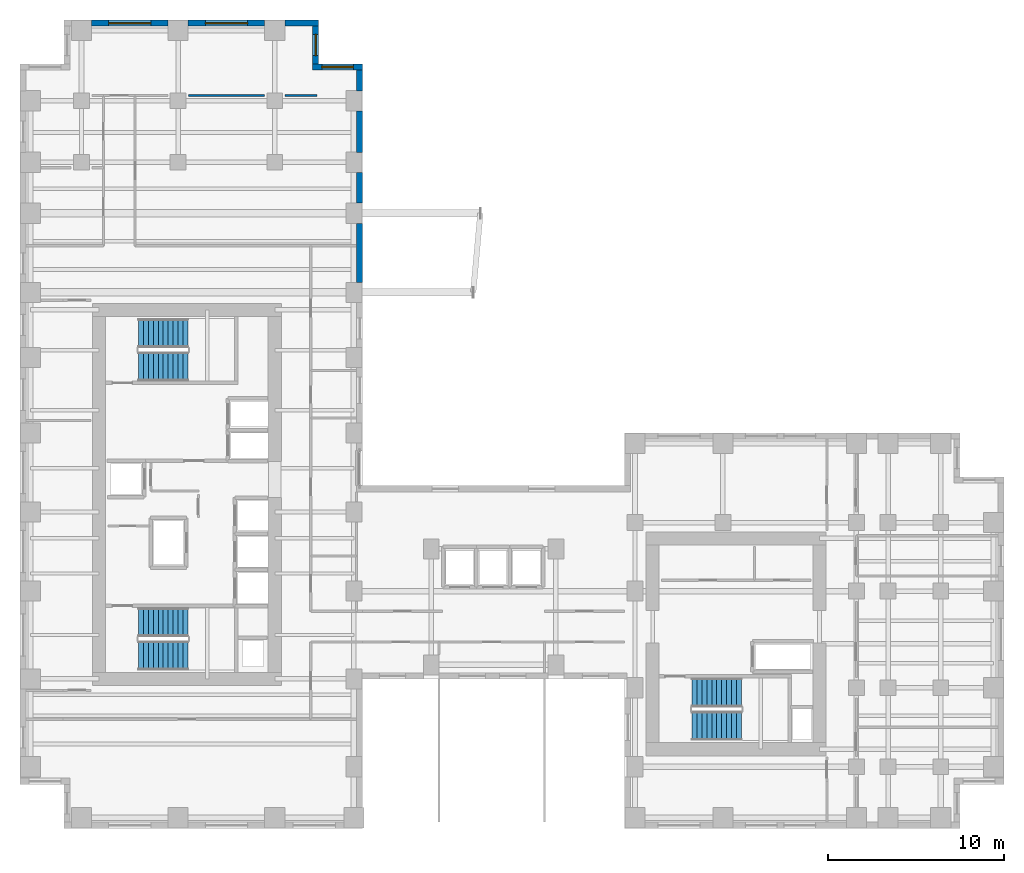
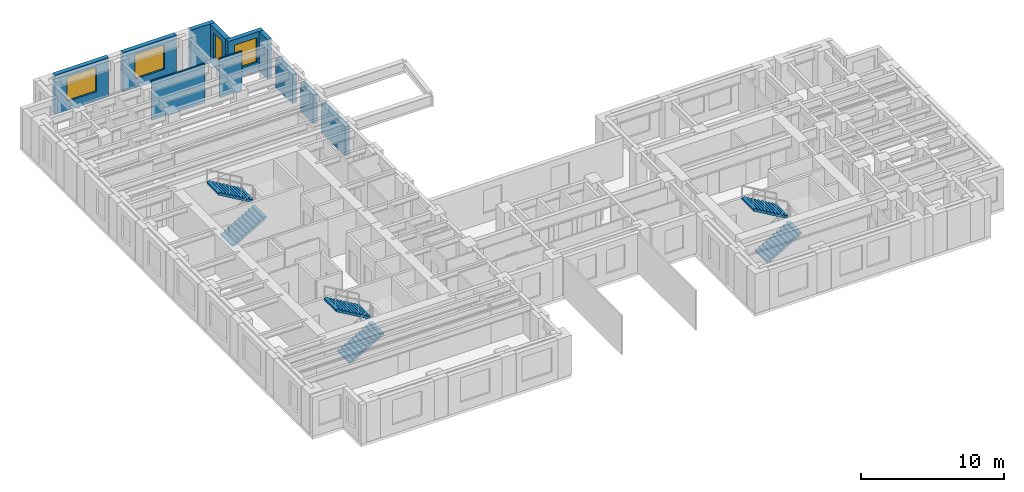
# One storey, part 11 of 13: 11 walls, 6 stair flights, 4 windows, 4 openings, 3 elements without a shape of their own.
"""IFC4 building model written with IfcOpenShell, lengths in metres."""

from ifc_helpers import new_model, si_unit, direction, frame, frame_2d, origin, place, context, subcontext, project, spatial, polyline, rectangle, outline, extrude, source, transform, mapped, material, layer, layer_set, type_object, element, fill, aggregate, save


model = new_model("IFC4")

# Units and contexts
model_context = context("Model", 3, precision=1e-05, world=origin(), true_north=direction((0.0, 1.0)))
body_context = subcontext(model_context, "Body", "Model", "MODEL_VIEW")
ifc_project = project(units=[si_unit("LENGTHUNIT", "METRE"), si_unit("AREAUNIT", "SQUARE_METRE"), si_unit("VOLUMEUNIT", "CUBIC_METRE"), si_unit("PLANEANGLEUNIT", "RADIAN"), si_unit("MASSUNIT", "GRAM", prefix="KILO")], contexts=[model_context])

# Site, building, storey
site_placement = place(None, origin())
site = spatial("IfcSite", under=ifc_project, at=site_placement, CompositionType="ELEMENT")
building_placement = place(site_placement, origin())
building = spatial("IfcBuilding", under=site, at=building_placement, Name="Kharzan Plaza Tower", CompositionType="ELEMENT")
storey_placement = place(building_placement, frame((0.0, 0.0, 109.800048828125)))
storey = spatial("IfcBuildingStorey", under=building, at=storey_placement, Name="L29", CompositionType="ELEMENT", Elevation=109.800048828125)

# Wall, opening, window
ifc_material_1 = material(Name="Concrete C40/50", Category="concrete")
ifc_layer_1 = layer(ifc_material_1, 0.35009765625)
ifc_layer_set_1 = layer_set([ifc_layer_1], Name="Concrete C40/50")
wall_type_1 = type_object("IfcWallType", Name="WL-EXT-MAS-Z2", PredefinedType="SOLIDWALL", material=ifc_layer_set_1)
wall_1_placement = place(storey_placement, frame((19.5, 43.324951171875, 0.0), z_axis=(0.0, 0.0, 1.0), x_axis=(-1.0, 0.0, 0.0)))
wall_1 = element("IfcWall", 1, at=wall_1_placement, inside=storey, type_object=wall_type_1, Name="L29 Masonry-Frame Exterior Wall 08", PredefinedType="SOLIDWALL", context=body_context, shape_type="SweptSolid", body=[
    extrude(rectangle(XDim=2.85009765625, YDim=0.35009765625, at=frame_2d((1.425048828125, 0.0))), origin(), (0.0, 0.0, 1.0), 3.364990234375),
])
opening_1_placement = place(wall_1_placement, frame((0.52490234375, 0.0, 0.780029296875)))
opening_1 = element("IfcOpeningElement", 2, at=opening_1_placement, cuts=wall_1, Name="Opening W1", PredefinedType="OPENING", context=body_context, shape_type="SweptSolid", body=[
    extrude(rectangle(XDim=1.800048828125, YDim=2.10009765625, at=frame_2d((0.89990234375, 1.050048828125))), frame((0.0, 0.18505859375, 0.0), z_axis=(0.0, -1.0, 0.0), x_axis=(1.0, 0.0, 0.0)), (0.0, 0.0, 1.0), 0.3701171875),
])
ifc_material_2 = material(Name="Low-E Double Glazing", Category="glass")
window_type_1 = type_object("IfcWindowType", Name="WN-REC-1800x2100", PartitioningType="SINGLE_PANEL", PredefinedType="WINDOW", material=ifc_material_2)
shared_shape_1 = source(origin(), body_context, "Body", "SweptSolid", [
    extrude(rectangle(XDim=1.800048828125, YDim=2.10009765625, at=frame_2d((0.89990234375, 1.050048828125))), frame((0.0, 0.030029296875, 0.0), z_axis=(0.0, -1.0, 0.0), x_axis=(1.0, 0.0, 0.0)), (0.0, 0.0, 1.0), 0.06005859375),
])
window_1_placement = place(opening_1_placement, origin())
window_1 = element("IfcWindow", 3, at=window_1_placement, inside=storey, type_object=window_type_1, Name="L29 Recessed Solar-Control Window 08-1", OverallHeight=2.10009765625, OverallWidth=1.800048828125, PartitioningType="SINGLE_PANEL", PredefinedType="WINDOW", context=body_context, shape_type="MappedRepresentation", body=[
    mapped(shared_shape_1, transform((0.0, 0.0, 0.0), x_axis=(1.0, 0.0, 0.0), y_axis=(0.0, 1.0, 0.0), z_axis=(0.0, 0.0, 1.0))),
])
fill(opening_1, window_1)

wall_2_placement = place(storey_placement, frame((16.824951171875, 43.498046875, 0.0), z_axis=(0.0, 0.0, 1.0), x_axis=(0.0, 1.0, 0.0)))
wall_2 = element("IfcWall", 4, at=wall_2_placement, inside=storey, type_object=wall_type_1, Name="L29 Masonry-Frame Exterior Wall 09", PredefinedType="SOLIDWALL", context=body_context, shape_type="SweptSolid", body=[
    extrude(rectangle(XDim=2.154052734375, YDim=0.35009765625, at=frame_2d((1.0771484375, 0.0))), origin(), (0.0, 0.0, 1.0), 3.364990234375),
])
opening_2_placement = place(wall_2_placement, frame((0.47705078125, 0.0, 0.780029296875)))
opening_2 = element("IfcOpeningElement", 5, at=opening_2_placement, cuts=wall_2, Name="Opening W3", PredefinedType="OPENING", context=body_context, shape_type="SweptSolid", body=[
    extrude(rectangle(XDim=1.199951171875, YDim=2.10009765625, at=frame_2d((0.60009765625, 1.050048828125))), frame((0.0, 0.18505859375, 0.0), z_axis=(0.0, -1.0, 0.0), x_axis=(1.0, 0.0, 0.0)), (0.0, 0.0, 1.0), 0.3701171875),
])
window_type_2 = type_object("IfcWindowType", Name="WN-REC-1200x2100", PartitioningType="SINGLE_PANEL", PredefinedType="WINDOW", material=ifc_material_2)
shared_shape_2 = source(origin(), body_context, "Body", "SweptSolid", [
    extrude(rectangle(XDim=1.199951171875, YDim=2.10009765625, at=frame_2d((0.60009765625, 1.050048828125))), frame((0.0, 0.030029296875, 0.0), z_axis=(0.0, -1.0, 0.0), x_axis=(1.0, 0.0, 0.0)), (0.0, 0.0, 1.0), 0.06005859375),
])
window_2_placement = place(opening_2_placement, origin())
window_2 = element("IfcWindow", 6, at=window_2_placement, inside=storey, type_object=window_type_2, Name="L29 Recessed Solar-Control Window 09-1", OverallHeight=2.10009765625, OverallWidth=1.199951171875, PartitioningType="SINGLE_PANEL", PredefinedType="WINDOW", context=body_context, shape_type="MappedRepresentation", body=[
    mapped(shared_shape_2, transform((0.0, 0.0, 0.0), x_axis=(1.0, 0.0, 0.0), y_axis=(0.0, 1.0, 0.0), z_axis=(0.0, 0.0, 1.0))),
])
fill(opening_2, window_2)

wall_3_placement = place(storey_placement, frame((13.927001953125, 45.824951171875, 0.0), z_axis=(0.0, 0.0, 1.0), x_axis=(-1.0, 0.0, 0.0)))
wall_3 = element("IfcWall", 7, at=wall_3_placement, inside=storey, type_object=wall_type_1, Name="L29 Masonry-Frame Exterior Wall 11", PredefinedType="SOLIDWALL", context=body_context, shape_type="SweptSolid", body=[
    extrude(rectangle(XDim=4.35400390625, YDim=0.35009765625, at=frame_2d((2.177001953125, 0.0))), origin(), (0.0, 0.0, 1.0), 3.364990234375),
])
opening_3_placement = place(wall_3_placement, frame((0.97705078125, 0.0, 0.780029296875)))
opening_3 = element("IfcOpeningElement", 8, at=opening_3_placement, cuts=wall_3, Name="Opening W2", PredefinedType="OPENING", context=body_context, shape_type="SweptSolid", body=[
    extrude(rectangle(XDim=2.39990234375, YDim=2.10009765625, at=frame_2d((1.199951171875, 1.050048828125))), frame((0.0, 0.18505859375, 0.0), z_axis=(0.0, -1.0, 0.0), x_axis=(1.0, 0.0, 0.0)), (0.0, 0.0, 1.0), 0.3701171875),
])
window_type_3 = type_object("IfcWindowType", Name="WN-REC-2400x2100", PartitioningType="SINGLE_PANEL", PredefinedType="WINDOW", material=ifc_material_2)
shared_shape_3 = source(origin(), body_context, "Body", "SweptSolid", [
    extrude(rectangle(XDim=2.39990234375, YDim=2.10009765625, at=frame_2d((1.199951171875, 1.050048828125))), frame((0.0, 0.030029296875, 0.0), z_axis=(0.0, -1.0, 0.0), x_axis=(1.0, 0.0, 0.0)), (0.0, 0.0, 1.0), 0.06005859375),
])
window_3_placement = place(opening_3_placement, origin())
window_3 = element("IfcWindow", 9, at=window_3_placement, inside=storey, type_object=window_type_3, Name="L29 Wide Recessed Solar-Control Window 11-1", OverallHeight=2.10009765625, OverallWidth=2.39990234375, PartitioningType="SINGLE_PANEL", PredefinedType="WINDOW", context=body_context, shape_type="MappedRepresentation", body=[
    mapped(shared_shape_3, transform((0.0, 0.0, 0.0), x_axis=(1.0, 0.0, 0.0), y_axis=(0.0, 1.0, 0.0), z_axis=(0.0, 0.0, 1.0))),
])
fill(opening_3, window_3)

wall_4_placement = place(storey_placement, frame((8.427001953125, 45.824951171875, 0.0), z_axis=(0.0, 0.0, 1.0), x_axis=(-1.0, 0.0, 0.0)))
wall_4 = element("IfcWall", 10, at=wall_4_placement, inside=storey, type_object=wall_type_1, Name="L29 Masonry-Frame Exterior Wall 12", PredefinedType="SOLIDWALL", context=body_context, shape_type="SweptSolid", body=[
    extrude(rectangle(XDim=4.35400390625, YDim=0.35009765625, at=frame_2d((2.177001953125, 0.0))), origin(), (0.0, 0.0, 1.0), 3.364990234375),
])
opening_4_placement = place(wall_4_placement, frame((0.97705078125, 0.0, 0.780029296875)))
opening_4 = element("IfcOpeningElement", 11, at=opening_4_placement, cuts=wall_4, Name="Opening W2", PredefinedType="OPENING", context=body_context, shape_type="SweptSolid", body=[
    extrude(rectangle(XDim=2.39990234375, YDim=2.10009765625, at=frame_2d((1.199951171875, 1.050048828125))), frame((0.0, 0.18505859375, 0.0), z_axis=(0.0, -1.0, 0.0), x_axis=(1.0, 0.0, 0.0)), (0.0, 0.0, 1.0), 0.3701171875),
])
window_4_placement = place(opening_4_placement, origin())
window_4 = element("IfcWindow", 12, at=window_4_placement, inside=storey, type_object=window_type_3, Name="L29 Wide Recessed Solar-Control Window 12-1", OverallHeight=2.10009765625, OverallWidth=2.39990234375, PartitioningType="SINGLE_PANEL", PredefinedType="WINDOW", context=body_context, shape_type="MappedRepresentation", body=[
    mapped(shared_shape_3, transform((0.0, 0.0, 0.0), x_axis=(1.0, 0.0, 0.0), y_axis=(0.0, 1.0, 0.0), z_axis=(0.0, 0.0, 1.0))),
])
fill(opening_4, window_4)

# Walls
shared_shape_4 = source(origin(), body_context, "Body", "SweptSolid", [
    extrude(rectangle(XDim=1.927001953125, YDim=0.35009765625, at=frame_2d((0.96337890625, 0.0))), origin(), (0.0, 0.0, 1.0), 3.364990234375),
])
wall_5_placement = place(storey_placement, frame((17.0, 45.824951171875, 0.0), z_axis=(0.0, 0.0, 1.0), x_axis=(-1.0, 0.0, 0.0)))
element("IfcWall", 13, at=wall_5_placement, inside=storey, type_object=wall_type_1, Name="L29 Masonry-Frame Exterior Wall 10", PredefinedType="SOLIDWALL", context=body_context, shape_type="MappedRepresentation", body=[
    mapped(shared_shape_4, transform((0.0, 0.0, 0.0), x_axis=(1.0, 0.0, 0.0), y_axis=(0.0, 1.0, 0.0), z_axis=(0.0, 0.0, 1.0))),
])
shared_shape_5 = source(origin(), body_context, "Body", "SweptSolid", [
    extrude(rectangle(XDim=1.17919921875, YDim=0.35009765625, at=frame_2d((0.589599609375, 0.0))), origin(), (0.0, 0.0, 1.0), 3.364990234375),
])
wall_6_placement = place(storey_placement, frame((19.324951171875, 41.972900390625, 0.0), z_axis=(0.0, 0.0, 1.0), x_axis=(0.0, 1.0, 0.0)))
element("IfcWall", 14, at=wall_6_placement, inside=storey, type_object=wall_type_1, Name="L29 Masonry-Frame Exterior Wall 07", PredefinedType="SOLIDWALL", context=body_context, shape_type="MappedRepresentation", body=[
    mapped(shared_shape_5, transform((0.0, 0.0, 0.0), x_axis=(1.0, 0.0, 0.0), y_axis=(0.0, 1.0, 0.0), z_axis=(0.0, 0.0, 1.0))),
])
shared_shape_6 = source(origin(), body_context, "Body", "SweptSolid", [
    extrude(rectangle(XDim=1.75390625, YDim=0.35009765625, at=frame_2d((0.876953125, 0.0))), origin(), (0.0, 0.0, 1.0), 2.51904296875),
])
wall_7_placement = place(storey_placement, frame((19.324951171875, 35.572998046875, 0.0), z_axis=(0.0, 0.0, 1.0), x_axis=(0.0, 1.0, 0.0)))
element("IfcWall", 15, at=wall_7_placement, inside=storey, type_object=wall_type_1, Name="L29 Masonry-Frame Exterior Wall 05", PredefinedType="SOLIDWALL", context=body_context, shape_type="MappedRepresentation", body=[
    mapped(shared_shape_6, transform((0.0, 0.0, 0.0), x_axis=(1.0, 0.0, 0.0), y_axis=(0.0, 1.0, 0.0), z_axis=(0.0, 0.0, 1.0))),
])
shared_shape_7 = source(origin(), body_context, "Body", "SweptSolid", [
    extrude(rectangle(XDim=3.35400390625, YDim=0.35009765625, at=frame_2d((1.677001953125, 0.0))), origin(), (0.0, 0.0, 1.0), 2.51904296875),
])
wall_8_placement = place(storey_placement, frame((19.324951171875, 31.072998046875, 0.0), z_axis=(0.0, 0.0, 1.0), x_axis=(0.0, 1.0, 0.0)))
element("IfcWall", 16, at=wall_8_placement, inside=storey, type_object=wall_type_1, Name="L29 Masonry-Frame Exterior Wall 04", PredefinedType="SOLIDWALL", context=body_context, shape_type="MappedRepresentation", body=[
    mapped(shared_shape_7, transform((0.0, 0.0, 0.0), x_axis=(1.0, 0.0, 0.0), y_axis=(0.0, 1.0, 0.0), z_axis=(0.0, 0.0, 1.0))),
])
shared_shape_8 = source(origin(), body_context, "Body", "SweptSolid", [
    extrude(rectangle(XDim=2.35400390625, YDim=0.35009765625, at=frame_2d((1.177001953125, 0.0))), origin(), (0.0, 0.0, 1.0), 2.51904296875),
])
wall_9_placement = place(storey_placement, frame((19.324951171875, 38.472900390625, 0.0), z_axis=(0.0, 0.0, 1.0), x_axis=(0.0, 1.0, 0.0)))
element("IfcWall", 17, at=wall_9_placement, inside=storey, type_object=wall_type_1, Name="L29 Masonry-Frame Exterior Wall 06", PredefinedType="SOLIDWALL", context=body_context, shape_type="MappedRepresentation", body=[
    mapped(shared_shape_8, transform((0.0, 0.0, 0.0), x_axis=(1.0, 0.0, 0.0), y_axis=(0.0, 1.0, 0.0), z_axis=(0.0, 0.0, 1.0))),
])
ifc_material_3 = material(Name="Fire-Rated Gypsum Board Partition", Category="gypsum")
ifc_layer_2 = layer(ifc_material_3, 0.125)
ifc_layer_set_2 = layer_set([ifc_layer_2], Name="Fire-Rated Gypsum Board Partition")
wall_type_2 = type_object("IfcWallType", Name="WL-INT-PART-125", PredefinedType="PARTITIONING", material=ifc_layer_set_2)
shared_shape_9 = source(origin(), body_context, "Body", "SweptSolid", [
    extrude(rectangle(XDim=4.31982421875, YDim=0.125, at=frame_2d((2.159912109375, 0.0))), origin(), (0.0, 0.0, 1.0), 3.364990234375),
])
wall_10_placement = place(storey_placement, frame((9.590087890625, 41.699951171875, 0.0), z_axis=(0.0, 0.0, 1.0), x_axis=(1.0, 0.0, 0.0)))
element("IfcWall", 18, at=wall_10_placement, inside=storey, type_object=wall_type_2, Name="L29 Interior Partition SH-SPHE-S2", PredefinedType="PARTITIONING", context=body_context, shape_type="MappedRepresentation", body=[
    mapped(shared_shape_9, transform((0.0, 0.0, 0.0), x_axis=(1.0, 0.0, 0.0), y_axis=(0.0, 1.0, 0.0), z_axis=(0.0, 0.0, 1.0))),
])
shared_shape_10 = source(origin(), body_context, "Body", "SweptSolid", [
    extrude(rectangle(XDim=1.809814453125, YDim=0.125, at=frame_2d((0.90478515625, 0.0))), origin(), (0.0, 0.0, 1.0), 3.364990234375),
])
wall_11_placement = place(storey_placement, frame((15.090087890625, 41.699951171875, 0.0), z_axis=(0.0, 0.0, 1.0), x_axis=(1.0, 0.0, 0.0)))
element("IfcWall", 19, at=wall_11_placement, inside=storey, type_object=wall_type_2, Name="L29 Interior Partition SH-SPHE-S3", PredefinedType="PARTITIONING", context=body_context, shape_type="MappedRepresentation", body=[
    mapped(shared_shape_10, transform((0.0, 0.0, 0.0), x_axis=(1.0, 0.0, 0.0), y_axis=(0.0, 1.0, 0.0), z_axis=(0.0, 0.0, 1.0))),
])

# Stair, stair flights
stair_type_1 = type_object("IfcStairType", Name="STR-ST-1", PredefinedType="HALF_TURN_STAIR", material=ifc_material_1)
stair_1_placement = place(storey_placement, origin())
stair_1 = element("IfcStair", 20, at=stair_1_placement, inside=storey, type_object=stair_type_1, Name="L29 Protected Exit Stair ST-1", PredefinedType="HALF_TURN_STAIR")
stair_flight_type = type_object("IfcStairFlightType", Name="SFL-1650-R173", PredefinedType="STRAIGHT", material=ifc_material_1)
shared_shape_11 = source(origin(), body_context, "Body", "SweptSolid", [
    extrude(outline(polyline([(-0.0029296875, -0.011962890625), (-0.0029296875, 0.0), (0.0, 0.0), (0.0, 0.16357421875), (0.280029296875, 0.16357421875), (0.280029296875, 0.3271484375), (0.56005859375, 0.3271484375), (0.56005859375, 0.49072265625), (0.840087890625, 0.49072265625), (0.840087890625, 0.654296875), (1.1201171875, 0.654296875), (1.1201171875, 0.81787109375), (1.400146484375, 0.81787109375), (1.400146484375, 0.9814453125), (1.68017578125, 0.9814453125), (1.68017578125, 1.14501953125), (1.960205078125, 1.14501953125), (1.960205078125, 1.30859375), (2.240234375, 1.30859375), (2.240234375, 1.47216796875), (2.520263671875, 1.47216796875), (2.520263671875, 1.6357421875), (2.80029296875, 1.6357421875), (2.80029296875, 1.79931640625), (2.80029296875, 1.462158203125), (0.297119140625, 0.0), (0.297119140625, -0.011962890625), (-0.0029296875, -0.011962890625)])), frame((0.0, 0.824951171875, 0.0), z_axis=(0.0, -1.0, 0.0), x_axis=(1.0, 0.0, 0.0)), (0.0, 0.0, 1.0), 1.64990234375),
])
stair_flight_1_placement = place(storey_placement, frame((6.75, 9.824951171875, 0.0), z_axis=(0.0, 0.0, 1.0), x_axis=(1.0, 0.0, 0.0)))
stair_flight_1 = element("IfcStairFlight", 21, at=stair_flight_1_placement, type_object=stair_flight_type, Name="ST-1 flight 1", NumberOfRisers=11, NumberOfTreads=10, PredefinedType="STRAIGHT", RiserHeight=0.163636364, TreadLength=0.28, context=body_context, shape_type="MappedRepresentation", body=[
    mapped(shared_shape_11, transform((0.0, 0.0, 0.0), x_axis=(1.0, 0.0, 0.0), y_axis=(0.0, 1.0, 0.0), z_axis=(0.0, 0.0, 1.0))),
])
stair_flight_2_placement = place(storey_placement, frame((9.550048828125, 11.72509765625, 1.800048828125), z_axis=(0.0, 0.0, 1.0), x_axis=(-1.0, 0.0, 0.0)))
stair_flight_2 = element("IfcStairFlight", 22, at=stair_flight_2_placement, type_object=stair_flight_type, Name="ST-1 flight 2", NumberOfRisers=11, NumberOfTreads=10, PredefinedType="STRAIGHT", RiserHeight=0.163636364, TreadLength=0.28, context=body_context, shape_type="MappedRepresentation", body=[
    mapped(shared_shape_11, transform((0.0, 0.0, 0.0), x_axis=(1.0, 0.0, 0.0), y_axis=(0.0, 1.0, 0.0), z_axis=(0.0, 0.0, 1.0))),
])
aggregate(stair_1, [stair_flight_1, stair_flight_2])

stair_type_2 = type_object("IfcStairType", Name="STR-ST-2", PredefinedType="HALF_TURN_STAIR", material=ifc_material_1)
stair_2_placement = place(storey_placement, origin())
stair_2 = element("IfcStair", 23, at=stair_2_placement, inside=storey, type_object=stair_type_2, Name="L29 Protected Exit Stair ST-2", PredefinedType="HALF_TURN_STAIR")
stair_flight_3_placement = place(storey_placement, frame((6.75, 26.27490234375, 0.0), z_axis=(0.0, 0.0, 1.0), x_axis=(1.0, 0.0, 0.0)))
stair_flight_3 = element("IfcStairFlight", 24, at=stair_flight_3_placement, type_object=stair_flight_type, Name="ST-2 flight 1", NumberOfRisers=11, NumberOfTreads=10, PredefinedType="STRAIGHT", RiserHeight=0.163636364, TreadLength=0.28, context=body_context, shape_type="MappedRepresentation", body=[
    mapped(shared_shape_11, transform((0.0, 0.0, 0.0), x_axis=(1.0, 0.0, 0.0), y_axis=(0.0, 1.0, 0.0), z_axis=(0.0, 0.0, 1.0))),
])
stair_flight_4_placement = place(storey_placement, frame((9.550048828125, 28.175048828125, 1.800048828125), z_axis=(0.0, 0.0, 1.0), x_axis=(-1.0, 0.0, 0.0)))
stair_flight_4 = element("IfcStairFlight", 25, at=stair_flight_4_placement, type_object=stair_flight_type, Name="ST-2 flight 2", NumberOfRisers=11, NumberOfTreads=10, PredefinedType="STRAIGHT", RiserHeight=0.163636364, TreadLength=0.28, context=body_context, shape_type="MappedRepresentation", body=[
    mapped(shared_shape_11, transform((0.0, 0.0, 0.0), x_axis=(1.0, 0.0, 0.0), y_axis=(0.0, 1.0, 0.0), z_axis=(0.0, 0.0, 1.0))),
])
aggregate(stair_2, [stair_flight_3, stair_flight_4])

stair_type_3 = type_object("IfcStairType", Name="STR-ST-3", PredefinedType="HALF_TURN_STAIR", material=ifc_material_1)
stair_3_placement = place(storey_placement, origin())
stair_3 = element("IfcStair", 26, at=stair_3_placement, inside=storey, type_object=stair_type_3, Name="L29 Protected Exit Stair ST-3", PredefinedType="HALF_TURN_STAIR")
stair_flight_5_placement = place(storey_placement, frame((38.25, 5.824951171875, 0.0), z_axis=(0.0, 0.0, 1.0), x_axis=(1.0, 0.0, 0.0)))
stair_flight_5 = element("IfcStairFlight", 27, at=stair_flight_5_placement, type_object=stair_flight_type, Name="ST-3 flight 1", NumberOfRisers=11, NumberOfTreads=10, PredefinedType="STRAIGHT", RiserHeight=0.163636364, TreadLength=0.28, context=body_context, shape_type="MappedRepresentation", body=[
    mapped(shared_shape_11, transform((0.0, 0.0, 0.0), x_axis=(1.0, 0.0, 0.0), y_axis=(0.0, 1.0, 0.0), z_axis=(0.0, 0.0, 1.0))),
])
stair_flight_6_placement = place(storey_placement, frame((41.050048828125, 7.72509765625, 1.800048828125), z_axis=(0.0, 0.0, 1.0), x_axis=(-1.0, 0.0, 0.0)))
stair_flight_6 = element("IfcStairFlight", 28, at=stair_flight_6_placement, type_object=stair_flight_type, Name="ST-3 flight 2", NumberOfRisers=11, NumberOfTreads=10, PredefinedType="STRAIGHT", RiserHeight=0.163636364, TreadLength=0.28, context=body_context, shape_type="MappedRepresentation", body=[
    mapped(shared_shape_11, transform((0.0, 0.0, 0.0), x_axis=(1.0, 0.0, 0.0), y_axis=(0.0, 1.0, 0.0), z_axis=(0.0, 0.0, 1.0))),
])
aggregate(stair_3, [stair_flight_5, stair_flight_6])

save(model, "model.ifc")
